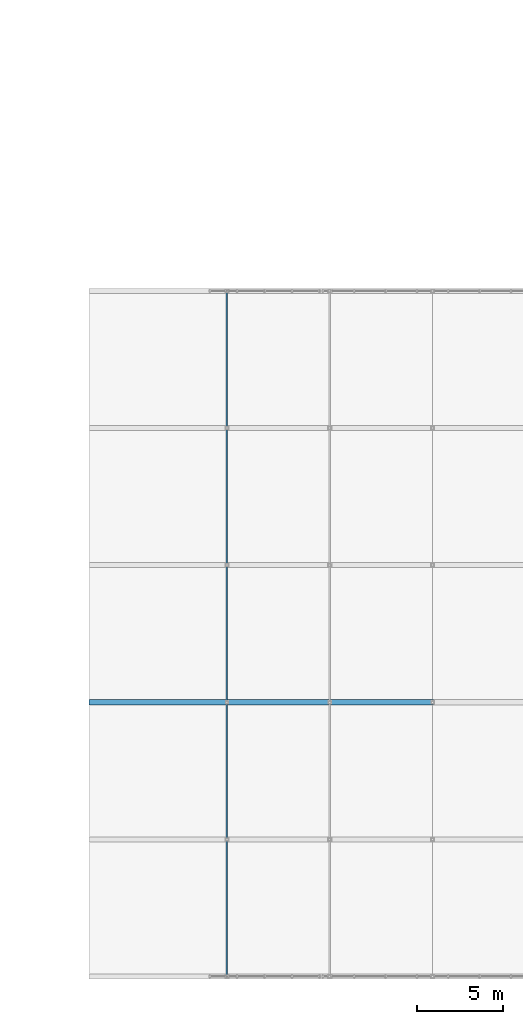
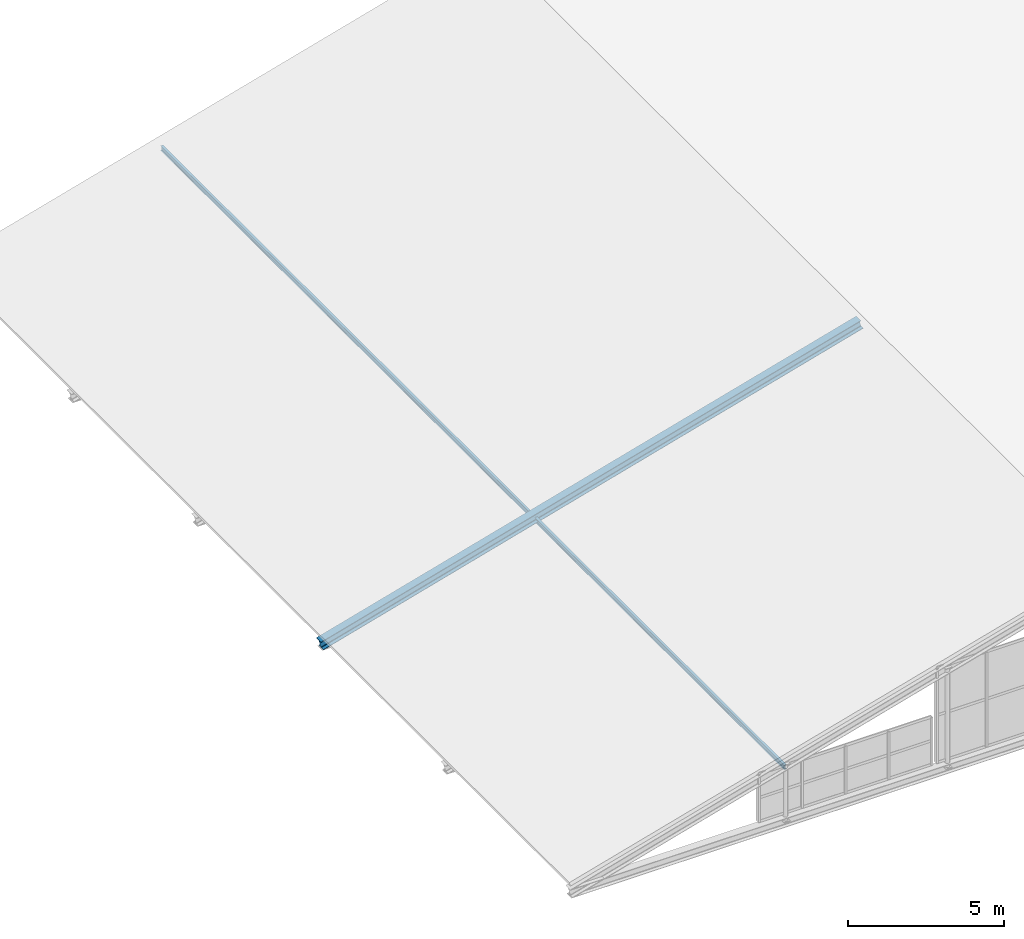
# One storey, part 15 of 49: 2 members.
"""IFC4 building model written with IfcOpenShell, lengths in metres."""

from ifc_helpers import new_model, si_unit, direction, frame, origin, origin_2d, place, context, subcontext, project, spatial, i_section, extrude, material, material_profile, profile_set, type_object, element, save


model = new_model("IFC4")

# Units and contexts
model_context = context("Model", 3, precision=1e-05, world=origin(), true_north=direction((0.0, 1.0)))
body_context = subcontext(model_context, "Body", "Model", "MODEL_VIEW")
ifc_project = project(units=[si_unit("LENGTHUNIT", "METRE"), si_unit("AREAUNIT", "SQUARE_METRE"), si_unit("VOLUMEUNIT", "CUBIC_METRE"), si_unit("PLANEANGLEUNIT", "RADIAN"), si_unit("MASSUNIT", "GRAM", prefix="KILO")], contexts=[model_context])

# Site, building, storey
site_placement = place(None, origin())
site = spatial("IfcSite", under=ifc_project, at=site_placement, CompositionType="ELEMENT")
building_placement = place(site_placement, origin())
building = spatial("IfcBuilding", under=site, at=building_placement, Name="Sundkrona Museum", CompositionType="ELEMENT")
storey_placement = place(building_placement, frame((0.0, 0.0, 26.0)))
storey = spatial("IfcBuildingStorey", under=building, at=storey_placement, Name="L05", CompositionType="ELEMENT", Elevation=26.0)

# Members
ifc_material = material(Name="Steel S355J2", Category="steel")
ifc_material_profile_1 = material_profile(ifc_material, i_section(OverallWidth=0.091064453125, OverallDepth=0.179931640625, WebThickness=0.00537109375, FlangeThickness=0.008056640625, FilletRadius=0.009033203125, at=origin_2d()), Name="IPE 180")
ifc_profile_set_1 = profile_set([ifc_material_profile_1], Name="Steel S355J2")
member_type_1 = type_object("IfcMemberType", Name="PR-IPE180", PredefinedType="PURLIN", material=ifc_profile_set_1)
member_1_placement = place(storey_placement, frame((88.0, 0.0, 1.677490234375), z_axis=(0.0, 1.0, 0.0), x_axis=(-1.0, 0.0, 0.0)))
element("IfcMember", 1, at=member_1_placement, inside=storey, type_object=member_type_1, Name="STR-1 Atrium Roof Purlin X=88", PredefinedType="PURLIN", context=body_context, shape_type="SweptSolid", body=[
    extrude(i_section(OverallWidth=0.091064453125, OverallDepth=0.179931640625, WebThickness=0.00537109375, FlangeThickness=0.008056640625, FilletRadius=0.009033203125, at=origin_2d()), origin(), (0.0, 0.0, 1.0), 40.0),
])
ifc_material_profile_2 = material_profile(ifc_material, i_section(OverallWidth=0.300048828125, OverallDepth=0.35009765625, WebThickness=0.010009765625, FlangeThickness=0.017578125, FilletRadius=0.027099609375, at=origin_2d()), Name="HEA 360")
ifc_profile_set_2 = profile_set([ifc_material_profile_2], Name="Steel S355J2")
member_type_2 = type_object("IfcMemberType", Name="TC-HEA360", PredefinedType="CHORD", material=ifc_profile_set_2)
member_2_placement = place(storey_placement, frame((80.0, 16.0, -0.39990234375), z_axis=(0.963039069801, 0.0, 0.269361745683), x_axis=(0.0, 1.0, 0.0)))
element("IfcMember", 2, at=member_2_placement, inside=storey, type_object=member_type_2, Name="RFS-1 Atrium Truss 3 West Rafter Chord", PredefinedType="CHORD", context=body_context, shape_type="SweptSolid", body=[
    extrude(i_section(OverallWidth=0.300048828125, OverallDepth=0.35009765625, WebThickness=0.010009765625, FlangeThickness=0.017578125, FilletRadius=0.027099609375, at=origin_2d()), origin(), (0.0, 0.0, 1.0), 20.767578125),
])

save(model, "model.ifc")
